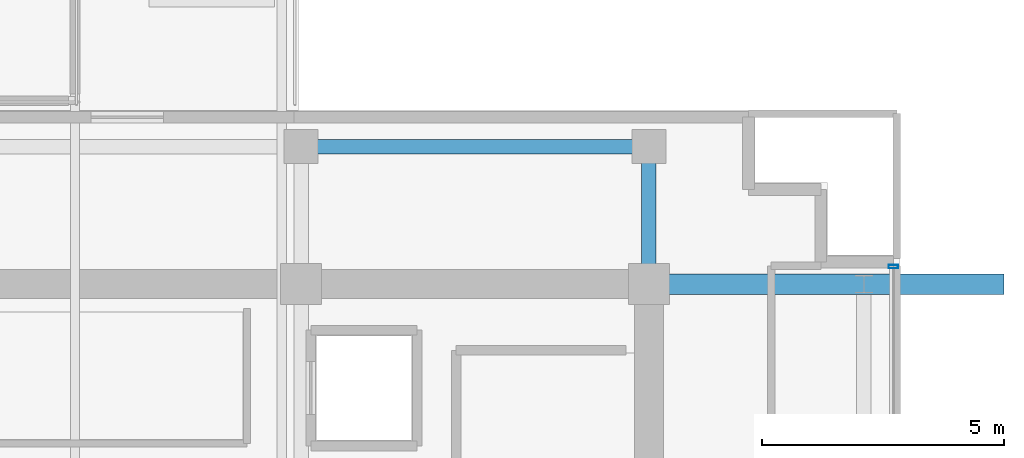
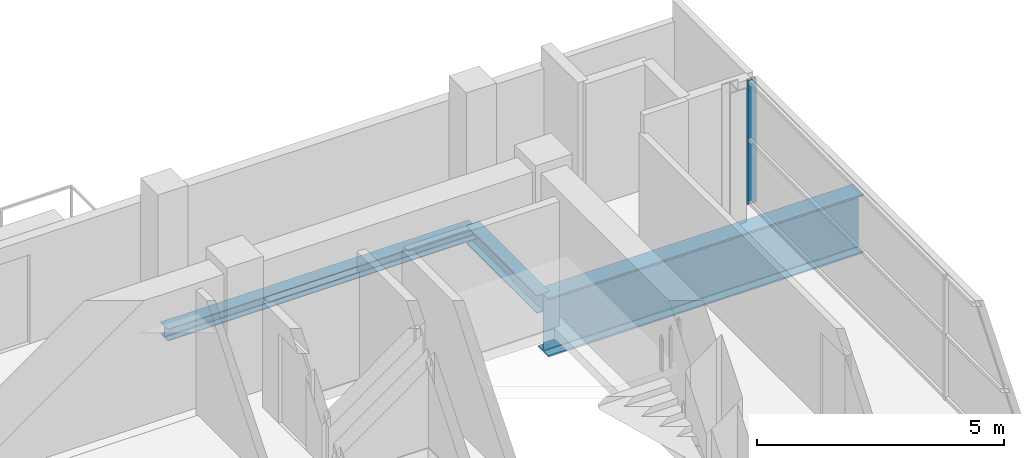
# One storey, part 15 of 24: 3 beams, 1 member, 1 element without a shape of its own.
"""IFC4 building model written with IfcOpenShell, lengths in metres."""

from ifc_helpers import new_model, si_unit, direction, frame, origin, origin_2d, place, context, subcontext, project, spatial, hollow_rectangle, i_section, extrude, source, transform, mapped, material, layer, layer_set, material_profile, profile_set, type_object, element, aggregate, save


model = new_model("IFC4")

# Units and contexts
model_context = context("Model", 3, precision=1e-05, world=origin(), true_north=direction((0.0, 1.0)))
body_context = subcontext(model_context, "Body", "Model", "MODEL_VIEW")
ifc_project = project(units=[si_unit("LENGTHUNIT", "METRE"), si_unit("AREAUNIT", "SQUARE_METRE"), si_unit("VOLUMEUNIT", "CUBIC_METRE"), si_unit("PLANEANGLEUNIT", "RADIAN"), si_unit("MASSUNIT", "GRAM", prefix="KILO")], contexts=[model_context])

# Site, building, storey
site_placement = place(None, origin())
site = spatial("IfcSite", under=ifc_project, at=site_placement, CompositionType="ELEMENT")
building_placement = place(site_placement, origin())
building = spatial("IfcBuilding", under=site, at=building_placement, Name="Zarnakvel Exchange Tower", CompositionType="ELEMENT")
storey_placement = place(building_placement, frame((0.0, 0.0, 205.60009765625)))
storey = spatial("IfcBuildingStorey", under=building, at=storey_placement, Name="L57", CompositionType="ELEMENT", Elevation=205.60009765625)

# Beams
ifc_material_1 = material(Name="Steel S355", Category="steel")
ifc_material_profile_1 = material_profile(ifc_material_1, i_section(OverallWidth=0.300048828125, OverallDepth=0.449951171875, WebThickness=0.013916015625, FlangeThickness=0.02587890625, FilletRadius=0.027099609375, at=origin_2d()))
ifc_profile_set_1 = profile_set([ifc_material_profile_1], Name="Steel S355")
beam_type_1 = type_object("IfcBeamType", Name="G-07", PredefinedType="BEAM", material=ifc_profile_set_1)
beam_1_placement = place(storey_placement, frame((14.39990234375, 13.5, -0.47509765625), z_axis=(0.0, 1.0, 0.0), x_axis=(-1.0, 0.0, 0.0)))
element("IfcBeam", 1, at=beam_1_placement, inside=storey, type_object=beam_type_1, Name="L57 Tower N-S Frame Beam", PredefinedType="BEAM", context=body_context, shape_type="SweptSolid", body=[
    extrude(i_section(OverallWidth=0.300048828125, OverallDepth=0.449951171875, WebThickness=0.013916015625, FlangeThickness=0.02587890625, FilletRadius=0.027099609375, at=origin_2d()), origin(), (0.0, 0.0, 1.0), 2.85009765625),
])
ifc_material_profile_2 = material_profile(ifc_material_1, i_section(OverallWidth=0.300048828125, OverallDepth=0.300048828125, WebThickness=0.010986328125, FlangeThickness=0.01904296875, FilletRadius=0.027099609375, at=origin_2d()))
ifc_profile_set_2 = profile_set([ifc_material_profile_2], Name="Steel S355")
beam_type_2 = type_object("IfcBeamType", Name="SP-03", PredefinedType="SPANDREL", material=ifc_profile_set_2)
beam_2_placement = place(storey_placement, frame((7.199951171875, 16.35009765625, -0.400146484375), z_axis=(1.0, 0.0, 0.0), x_axis=(0.0, 1.0, 0.0)))
element("IfcBeam", 2, at=beam_2_placement, inside=storey, type_object=beam_type_2, Name="L57 Tower E-W Frame Beam", PredefinedType="SPANDREL", context=body_context, shape_type="SweptSolid", body=[
    extrude(i_section(OverallWidth=0.300048828125, OverallDepth=0.300048828125, WebThickness=0.010986328125, FlangeThickness=0.01904296875, FilletRadius=0.027099609375, at=origin_2d()), origin(), (0.0, 0.0, 1.0), 7.199951171875),
])
ifc_material_2 = material(Name="Steel S460", Category="steel")
ifc_material_profile_3 = material_profile(ifc_material_2, i_section(OverallWidth=0.419921875, OverallDepth=1.449951171875, WebThickness=0.02392578125, FlangeThickness=0.0400390625, FilletRadius=0.030029296875, at=origin_2d()))
ifc_profile_set_3 = profile_set([ifc_material_profile_3], Name="Steel S460")
beam_type_3 = type_object("IfcBeamType", Name="TG-01", PredefinedType="BEAM", material=ifc_profile_set_3)
beam_3_placement = place(storey_placement, frame((14.39990234375, 13.5, -0.97509765625), z_axis=(1.0, 0.0, 0.0), x_axis=(0.0, 1.0, 0.0)))
element("IfcBeam", 3, at=beam_3_placement, inside=storey, type_object=beam_type_3, Name="L57 Setback E-W Transfer Girder TE-F", PredefinedType="BEAM", context=body_context, shape_type="SweptSolid", body=[
    extrude(i_section(OverallWidth=0.419921875, OverallDepth=1.449951171875, WebThickness=0.02392578125, FlangeThickness=0.0400390625, FilletRadius=0.030029296875, at=origin_2d()), origin(), (0.0, 0.0, 1.0), 7.35009765625),
])

# Curtain wall, member
ifc_material_3 = material(Name="Architectural Bronze Anodised Aluminium", Category="aluminium")
ifc_layer = layer(ifc_material_3, 0.199951171875)
ifc_layer_set = layer_set([ifc_layer], Name="Architectural Bronze Anodised Aluminium")
curtain_wall_type = type_object("IfcCurtainWallType", Name="CW-04", PredefinedType="NOTDEFINED", material=ifc_layer_set)
curtain_wall_placement = place(storey_placement, origin())
curtain_wall = element("IfcCurtainWall", 4, at=curtain_wall_placement, inside=storey, type_object=curtain_wall_type, Name="L57 Curtain Wall CW-L57-EN (CW-04)", PredefinedType="NOTDEFINED")
ifc_material_profile_4 = material_profile(ifc_material_3, hollow_rectangle(XDim=0.199951171875, YDim=0.074951171875, WallThickness=0.0048828125, at=origin_2d()))
ifc_profile_set_4 = profile_set([ifc_material_profile_4], Name="Architectural Bronze Anodised Aluminium")
member_type = type_object("IfcMemberType", Name="CWM-04", PredefinedType="MULLION", material=ifc_profile_set_4)
shared_shape = source(origin(), body_context, "Body", "SweptSolid", [
    extrude(hollow_rectangle(XDim=0.199951171875, YDim=0.074951171875, WallThickness=0.0048828125, at=origin_2d()), origin(), (0.0, 0.0, 1.0), 3.054931640625),
])
member_placement = place(storey_placement, frame((19.4599609375, 13.862548828125, 0.0), z_axis=(0.0, 0.0, 1.0), x_axis=(-1.0, 0.0, 0.0)))
member = element("IfcMember", 5, at=member_placement, type_object=member_type, Name="CW-04 mullion 3", PredefinedType="MULLION", context=body_context, shape_type="MappedRepresentation", body=[
    mapped(shared_shape, transform((0.0, 0.0, 0.0), x_axis=(1.0, 0.0, 0.0), y_axis=(0.0, 1.0, 0.0), z_axis=(0.0, 0.0, 1.0), scale=1.0)),
])
aggregate(curtain_wall, [member])

save(model, "model.ifc")
